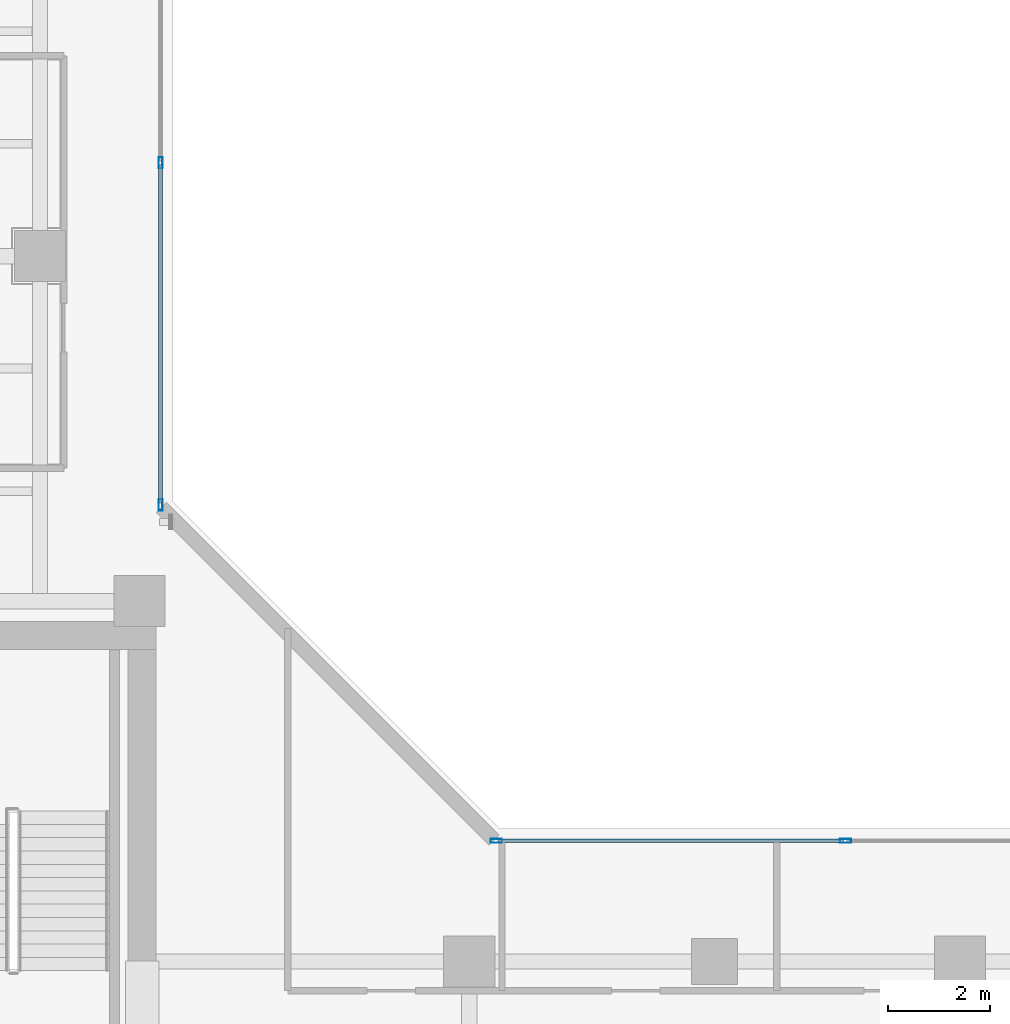
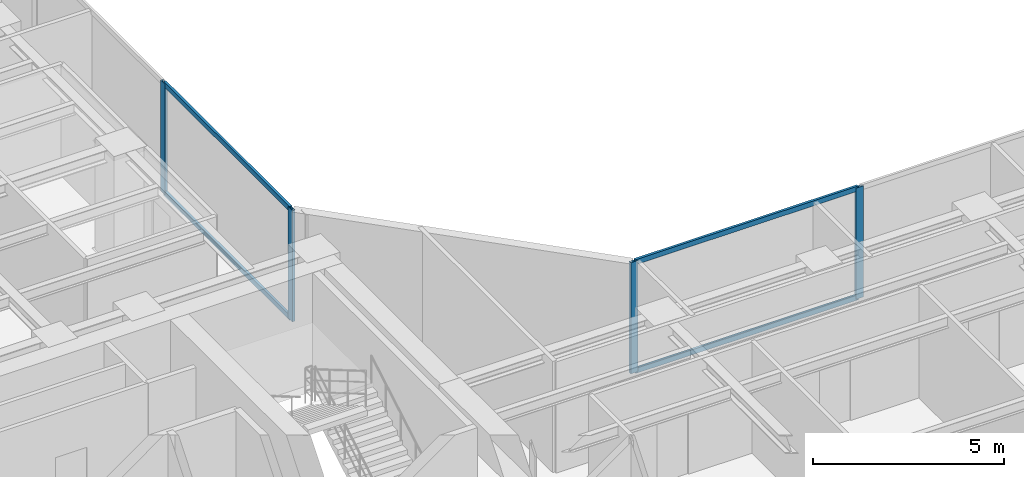
# One storey, part 10 of 24: 8 members, 2 elements without a shape of their own.
"""IFC4 building model written with IfcOpenShell, lengths in metres."""

from ifc_helpers import new_model, si_unit, direction, frame, origin, origin_with_axes, origin_2d, place, context, subcontext, project, spatial, hollow_rectangle, extrude, source, transform, mapped, material, layer, layer_set, material_profile, profile_set, type_object, element, aggregate, save


model = new_model("IFC4")

# Units and contexts
model_context = context("Model", 3, precision=1e-05, world=origin(), true_north=direction((0.0, 1.0)))
body_context = subcontext(model_context, "Body", "Model", "MODEL_VIEW")
ifc_project = project(units=[si_unit("LENGTHUNIT", "METRE"), si_unit("AREAUNIT", "SQUARE_METRE"), si_unit("VOLUMEUNIT", "CUBIC_METRE"), si_unit("PLANEANGLEUNIT", "RADIAN"), si_unit("MASSUNIT", "GRAM", prefix="KILO")], contexts=[model_context])

# Site, building, storey
site_placement = place(None, origin())
site = spatial("IfcSite", under=ifc_project, at=site_placement, CompositionType="ELEMENT")
building_placement = place(site_placement, origin())
building = spatial("IfcBuilding", under=site, at=building_placement, Name="Kolvaren Waterfront Exchange", CompositionType="ELEMENT")
storey_placement = place(building_placement, frame((0.0, 0.0, 208.300048828125)))
storey = spatial("IfcBuildingStorey", under=building, at=storey_placement, Name="L53", CompositionType="ELEMENT", Elevation=208.300048828125)

# Curtain wall, members
ifc_material_1 = material(Name="Anodised bronze aluminium 6063-T6", Category="aluminium")
ifc_layer = layer(ifc_material_1, 0.219970703125, Name="Anodised bronze aluminium 6063-T6")
ifc_layer_set = layer_set([ifc_layer], Name="Anodised bronze aluminium 6063-T6")
curtain_wall_type = type_object("IfcCurtainWallType", Name="ARC-CW-SYS1", PredefinedType="USERDEFINED", material=ifc_layer_set)
curtain_wall_1_placement = place(storey_placement, origin())
curtain_wall_1 = element("IfcCurtainWall", 1, at=curtain_wall_1_placement, inside=storey, type_object=curtain_wall_type, Name="L53 stick curtain wall CW1 (CW-L53-NE)", ObjectType="STICK CURTAIN WALL", PredefinedType="USERDEFINED")
ifc_material_2 = material(Name="Anodised aluminium 6063-T6", Category="aluminium")
ifc_material_profile_1 = material_profile(ifc_material_2, hollow_rectangle(XDim=0.080078125, YDim=0.219970703125, WallThickness=0.0048828125, at=origin_2d()), Name="ALU-MUL-220x80x5")
ifc_profile_set_1 = profile_set([ifc_material_profile_1], Name="Anodised aluminium 6063-T6")
member_type_1 = type_object("IfcMemberType", Name="ARC-CWM-220", PredefinedType="MULLION", material=ifc_profile_set_1)
shared_shape_1 = source(origin_with_axes(), body_context, "Body", "SweptSolid", [
    extrude(hollow_rectangle(XDim=0.080078125, YDim=0.219970703125, WallThickness=0.0048828125, at=origin_2d()), origin(), (0.0, 0.0, 1.0), 3.56005859375),
])
member_1_placement = place(storey_placement, frame((21.159912109375, 26.330078125, 0.0), z_axis=(0.0, 0.0, 1.0), x_axis=(-1.0, 0.0, 0.0)))
member_1 = element("IfcMember", 2, at=member_1_placement, type_object=member_type_1, Name="CW1 mullion 1", PredefinedType="MULLION", context=body_context, shape_type="MappedRepresentation", body=[
    mapped(shared_shape_1, transform((0.0, 0.0, 0.0), x_axis=(1.0, 0.0, 0.0), y_axis=(0.0, 1.0, 0.0), z_axis=(0.0, 0.0, 1.0), scale=1.0)),
])
member_2_placement = place(storey_placement, frame((21.159912109375, 33.026611328125, 0.0), z_axis=(0.0, 0.0, 1.0), x_axis=(-1.0, 0.0, 0.0)))
member_2 = element("IfcMember", 3, at=member_2_placement, type_object=member_type_1, Name="CW1 mullion 2", PredefinedType="MULLION", context=body_context, shape_type="MappedRepresentation", body=[
    mapped(shared_shape_1, transform((0.0, 0.0, 0.0), x_axis=(1.0, 0.0, 0.0), y_axis=(0.0, 1.0, 0.0), z_axis=(0.0, 0.0, 1.0), scale=1.0)),
])

curtain_wall_2_placement = place(storey_placement, origin())
curtain_wall_2 = element("IfcCurtainWall", 4, at=curtain_wall_2_placement, inside=storey, type_object=curtain_wall_type, Name="L53 stick curtain wall CW1 (CW-L53-EN)", ObjectType="STICK CURTAIN WALL", PredefinedType="USERDEFINED")
member_3_placement = place(storey_placement, frame((27.72998046875, 19.760009765625, 0.0), z_axis=(0.0, 0.0, 1.0), x_axis=(0.0, 1.0, 0.0)))
member_3 = element("IfcMember", 5, at=member_3_placement, type_object=member_type_1, Name="CW1 mullion 1", PredefinedType="MULLION", context=body_context, shape_type="MappedRepresentation", body=[
    mapped(shared_shape_1, transform((0.0, 0.0, 0.0), x_axis=(1.0, 0.0, 0.0), y_axis=(0.0, 1.0, 0.0), z_axis=(0.0, 0.0, 1.0), scale=1.0)),
])
member_4_placement = place(storey_placement, frame((34.56005859375, 19.760009765625, 0.0), z_axis=(0.0, 0.0, 1.0), x_axis=(0.0, 1.0, 0.0)))
member_4 = element("IfcMember", 6, at=member_4_placement, type_object=member_type_1, Name="CW1 mullion 2", PredefinedType="MULLION", context=body_context, shape_type="MappedRepresentation", body=[
    mapped(shared_shape_1, transform((0.0, 0.0, 0.0), x_axis=(1.0, 0.0, 0.0), y_axis=(0.0, 1.0, 0.0), z_axis=(0.0, 0.0, 1.0), scale=1.0)),
])

# Member
ifc_material_profile_2 = material_profile(ifc_material_2, hollow_rectangle(XDim=0.074951171875, YDim=0.159912109375, WallThickness=0.00439453125, at=origin_2d()), Name="ALU-TRN-160x75x4.5")
ifc_profile_set_2 = profile_set([ifc_material_profile_2], Name="Anodised aluminium 6063-T6")
member_type_2 = type_object("IfcMemberType", Name="ARC-CWT-160", PredefinedType="USERDEFINED", material=ifc_profile_set_2)
shared_shape_2 = source(origin_with_axes(), body_context, "Body", "SweptSolid", [
    extrude(hollow_rectangle(XDim=0.074951171875, YDim=0.159912109375, WallThickness=0.00439453125, at=origin_2d()), origin(), (0.0, 0.0, 1.0), 6.616455078125),
])
member_5_placement = place(storey_placement, frame((21.159912109375, 26.3701171875, 0.037353515625), z_axis=(0.0, 1.0, 0.0), x_axis=(-1.0, 0.0, 0.0)))
member_5 = element("IfcMember", 7, at=member_5_placement, type_object=member_type_2, Name="CW1 transom 1.1", ObjectType="TRANSOM", PredefinedType="USERDEFINED", context=body_context, shape_type="MappedRepresentation", body=[
    mapped(shared_shape_2, transform((0.0, 0.0, 0.0), x_axis=(1.0, 0.0, 0.0), y_axis=(0.0, 1.0, 0.0), z_axis=(0.0, 0.0, 1.0), scale=1.0)),
])

member_6_placement = place(storey_placement, frame((21.159912109375, 26.3701171875, 3.5224609375), z_axis=(0.0, 1.0, 0.0), x_axis=(-1.0, 0.0, 0.0)))
member_6 = element("IfcMember", 8, at=member_6_placement, type_object=member_type_2, Name="CW1 transom 1.2", ObjectType="TRANSOM", PredefinedType="USERDEFINED", context=body_context, shape_type="MappedRepresentation", body=[
    mapped(shared_shape_2, transform((0.0, 0.0, 0.0), x_axis=(1.0, 0.0, 0.0), y_axis=(0.0, 1.0, 0.0), z_axis=(0.0, 0.0, 1.0), scale=1.0)),
])

aggregate(curtain_wall_1, [member_1, member_2, member_5, member_6])

shared_shape_3 = source(origin_with_axes(), body_context, "Body", "SweptSolid", [
    extrude(hollow_rectangle(XDim=0.074951171875, YDim=0.159912109375, WallThickness=0.00439453125, at=origin_2d()), origin(), (0.0, 0.0, 1.0), 6.75),
])
member_7_placement = place(storey_placement, frame((27.77001953125, 19.760009765625, 0.037353515625), z_axis=(1.0, 0.0, 0.0), x_axis=(0.0, 1.0, 0.0)))
member_7 = element("IfcMember", 9, at=member_7_placement, type_object=member_type_2, Name="CW1 transom 1.1", ObjectType="TRANSOM", PredefinedType="USERDEFINED", context=body_context, shape_type="MappedRepresentation", body=[
    mapped(shared_shape_3, transform((0.0, 0.0, 0.0), x_axis=(1.0, 0.0, 0.0), y_axis=(0.0, 1.0, 0.0), z_axis=(0.0, 0.0, 1.0), scale=1.0)),
])

member_8_placement = place(storey_placement, frame((27.77001953125, 19.760009765625, 3.5224609375), z_axis=(1.0, 0.0, 0.0), x_axis=(0.0, 1.0, 0.0)))
member_8 = element("IfcMember", 10, at=member_8_placement, type_object=member_type_2, Name="CW1 transom 1.2", ObjectType="TRANSOM", PredefinedType="USERDEFINED", context=body_context, shape_type="MappedRepresentation", body=[
    mapped(shared_shape_3, transform((0.0, 0.0, 0.0), x_axis=(1.0, 0.0, 0.0), y_axis=(0.0, 1.0, 0.0), z_axis=(0.0, 0.0, 1.0), scale=1.0)),
])

aggregate(curtain_wall_2, [member_3, member_4, member_7, member_8])

save(model, "model.ifc")
